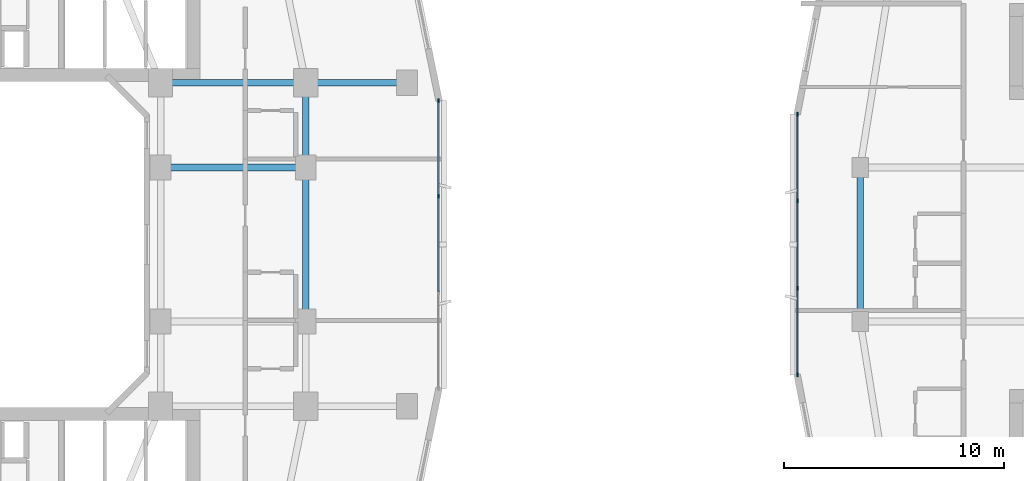
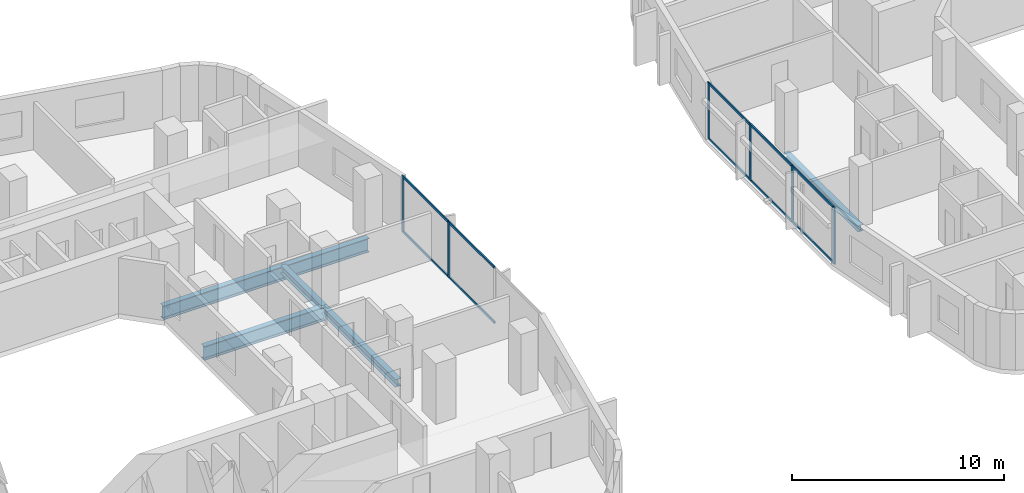
# One storey, part 4 of 22: 16 members, 6 beams, 2 elements without a shape of their own.
"""IFC4 building model written with IfcOpenShell, lengths in metres."""

from ifc_helpers import new_model, si_unit, derived_unit, direction, frame, origin, origin_2d, place, context, subcontext, project, spatial, rectangle, i_section, extrude, material, layer, layer_set, material_profile, profile_set, type_object, element, aggregate, save


model = new_model("IFC4")

# Units and contexts
model_context = context("Model", 3, precision=1e-05, world=origin(), true_north=direction((0.0, 1.0)))
body_context = subcontext(model_context, "Body", "Model", "MODEL_VIEW")
ifc_project = project(units=[si_unit("LENGTHUNIT", "METRE"), si_unit("AREAUNIT", "SQUARE_METRE"), si_unit("VOLUMEUNIT", "CUBIC_METRE"), si_unit("PLANEANGLEUNIT", "RADIAN"), si_unit("MASSUNIT", "GRAM", prefix="KILO"), derived_unit("THERMALTRANSMITTANCEUNIT", [(si_unit("POWERUNIT", "WATT"), 1), (si_unit("LENGTHUNIT", "METRE"), -2), (si_unit("THERMODYNAMICTEMPERATUREUNIT", "KELVIN"), -1)])], contexts=[model_context])

# Site, building, storey
site_placement = place(None, origin())
site = spatial("IfcSite", under=ifc_project, at=site_placement, CompositionType="ELEMENT")
building_placement = place(site_placement, origin())
building = spatial("IfcBuilding", under=site, at=building_placement, Name="Kivonza Crest Hotel", CompositionType="ELEMENT")
storey_placement = place(building_placement, frame((0.0, 0.0, 48.5)))
storey = spatial("IfcBuildingStorey", under=building, at=storey_placement, Name="L12", CompositionType="ELEMENT", Elevation=48.5)

# Beams
ifc_material_1 = material(Name="Steel S355", Category="steel")
ifc_material_profile_1 = material_profile(ifc_material_1, i_section(OverallWidth=0.300048828125, OverallDepth=0.360107421875, WebThickness=0.012451171875, FlangeThickness=0.0224609375, FilletRadius=0.027099609375, at=origin_2d()), Name="HEB 360")
ifc_profile_set_1 = profile_set([ifc_material_profile_1], Name="Steel S355")
beam_type_1 = type_object("IfcBeamType", Name="BM-HEB360", PredefinedType="SPANDREL", material=ifc_profile_set_1)
beam_1_placement = place(storey_placement, frame((61.0, 28.5, -0.429931640625), z_axis=(0.0, -1.0, 0.0), x_axis=(1.0, 0.0, 0.0)))
element("IfcBeam", 1, at=beam_1_placement, inside=storey, type_object=beam_type_1, Name="Companion Tower T2 L12 perimeter spandrel W2-W1", PredefinedType="SPANDREL", context=body_context, shape_type="SweptSolid", body=[
    extrude(i_section(OverallWidth=0.300048828125, OverallDepth=0.360107421875, WebThickness=0.012451171875, FlangeThickness=0.0224609375, FilletRadius=0.027099609375, at=origin_2d()), origin(), (0.0, 0.0, 1.0), 7.0),
])
ifc_material_profile_2 = material_profile(ifc_material_1, i_section(OverallWidth=0.300048828125, OverallDepth=0.449951171875, WebThickness=0.013916015625, FlangeThickness=0.02587890625, FilletRadius=0.027099609375, at=origin_2d()), Name="HEB 450")
ifc_profile_set_2 = profile_set([ifc_material_profile_2], Name="Steel S355")
beam_type_2 = type_object("IfcBeamType", Name="BM-HEB450", PredefinedType="SPANDREL", material=ifc_profile_set_2)
beam_2_placement = place(storey_placement, frame((35.800048828125, 21.5, -0.5048828125), z_axis=(0.0, 1.0, 0.0), x_axis=(-1.0, 0.0, 0.0)))
element("IfcBeam", 2, at=beam_2_placement, inside=storey, type_object=beam_type_2, Name="Tower T1 L12 perimeter spandrel E1-E2", PredefinedType="SPANDREL", context=body_context, shape_type="SweptSolid", body=[
    extrude(i_section(OverallWidth=0.300048828125, OverallDepth=0.449951171875, WebThickness=0.013916015625, FlangeThickness=0.02587890625, FilletRadius=0.027099609375, at=origin_2d()), origin(), (0.0, 0.0, 1.0), 7.0),
])
beam_3_placement = place(storey_placement, frame((35.800048828125, 28.5, -0.5048828125), z_axis=(0.0, 1.0, 0.0), x_axis=(-1.0, 0.0, 0.0)))
element("IfcBeam", 3, at=beam_3_placement, inside=storey, type_object=beam_type_2, Name="Tower T1 L12 perimeter spandrel E2-PNE", PredefinedType="SPANDREL", context=body_context, shape_type="SweptSolid", body=[
    extrude(i_section(OverallWidth=0.300048828125, OverallDepth=0.449951171875, WebThickness=0.013916015625, FlangeThickness=0.02587890625, FilletRadius=0.027099609375, at=origin_2d()), origin(), (0.0, 0.0, 1.0), 3.85009765625),
])
ifc_material_profile_3 = material_profile(ifc_material_1, i_section(OverallWidth=0.300048828125, OverallDepth=0.800048828125, WebThickness=0.017578125, FlangeThickness=0.032958984375, FilletRadius=0.030029296875, at=origin_2d()), Name="HEB 800")
ifc_profile_set_3 = profile_set([ifc_material_profile_3], Name="Steel S355")
beam_type_3 = type_object("IfcBeamType", Name="BM-HEB800", PredefinedType="BEAM", material=ifc_profile_set_3)
for number, where, z_axis, x_axis, name in (
    (4, (29.199951171875, 32.35009765625, -0.679931640625), (1.0, 0.0, 0.0), (0.0, 1.0, 0.0), "Tower T1 L12 primary girder TNE-PNE"),
    (5, (29.199951171875, 28.5, -0.679931640625), (1.0, 0.0, 0.0), (0.0, 1.0, 0.0), "Tower T1 L12 primary girder WR2-E2"),
):
    element("IfcBeam", number, at=place(storey_placement, frame(where, z_axis=z_axis, x_axis=x_axis)), inside=storey, type_object=beam_type_3, Name=name, PredefinedType="BEAM", context=body_context, shape_type="SweptSolid", body=[
        extrude(i_section(OverallWidth=0.300048828125, OverallDepth=0.800048828125, WebThickness=0.017578125, FlangeThickness=0.032958984375, FilletRadius=0.030029296875, at=origin_2d()), origin(), (0.0, 0.0, 1.0), 6.60009765625),
    ])
beam_4_placement = place(storey_placement, frame((40.39990234375, 32.35009765625, -0.679931640625), z_axis=(-1.0, 0.0, 0.0), x_axis=(0.0, -1.0, 0.0)))
element("IfcBeam", 6, at=beam_4_placement, inside=storey, type_object=beam_type_3, Name="Tower T1 L12 outer bay girder ZE2", PredefinedType="BEAM", context=body_context, shape_type="SweptSolid", body=[
    extrude(i_section(OverallWidth=0.300048828125, OverallDepth=0.800048828125, WebThickness=0.017578125, FlangeThickness=0.032958984375, FilletRadius=0.030029296875, at=origin_2d()), origin(), (0.0, 0.0, 1.0), 4.599853515625),
])

# Curtain wall, members
ifc_material_2 = material(Name="Anodised bronze aluminium and low-E double glazing", Category="aluminium")
ifc_layer_1 = layer(ifc_material_2, 0.179931640625)
ifc_layer_set_1 = layer_set([ifc_layer_1], Name="Anodised bronze aluminium and low-E double glazing")
curtain_wall_type_1 = type_object("IfcCurtainWallType", Name="CW-SYS-2", PredefinedType="NOTDEFINED", material=ifc_layer_set_1)
curtain_wall_1_placement = place(storey_placement, origin())
curtain_wall_1 = element("IfcCurtainWall", 7, at=curtain_wall_1_placement, inside=storey, type_object=curtain_wall_type_1, Name="L12 unitised curtain wall CW-T1-L12-17", PredefinedType="NOTDEFINED")
ifc_material_3 = material(Name="Anodised bronze aluminium", Category="aluminium")
ifc_material_profile_4 = material_profile(ifc_material_3, rectangle(XDim=0.06494140625, YDim=0.179931640625, at=origin_2d()), Name="CW-M 65x180")
ifc_profile_set_4 = profile_set([ifc_material_profile_4], Name="Anodised bronze aluminium")
member_type_1 = type_object("IfcMemberType", Name="CW-MUL-65x180", PredefinedType="MULLION", material=ifc_profile_set_4)
member_1_placement = place(storey_placement, frame((41.840087890625, 27.186767578125, 0.0), z_axis=(0.0, 0.0, 1.0), x_axis=(-1.0, 0.0, 0.0)))
member_1 = element("IfcMember", 8, at=member_1_placement, type_object=member_type_1, Name="CW-2 mullion 3", PredefinedType="MULLION", context=body_context, shape_type="SweptSolid", body=[
    extrude(rectangle(XDim=0.06494140625, YDim=0.179931640625, at=origin_2d()), origin(), (0.0, 0.0, 1.0), 3.219970703125),
])
member_2_placement = place(storey_placement, frame((41.840087890625, 31.527587890625, 0.0), z_axis=(0.0, 0.0, 1.0), x_axis=(-1.0, 0.0, 0.0)))
member_2 = element("IfcMember", 9, at=member_2_placement, type_object=member_type_1, Name="CW-2 mullion 4", PredefinedType="MULLION", context=body_context, shape_type="SweptSolid", body=[
    extrude(rectangle(XDim=0.06494140625, YDim=0.179931640625, at=origin_2d()), origin(), (0.0, 0.0, 1.0), 3.219970703125),
])

ifc_layer_2 = layer(ifc_material_2, 0.179931640625)
ifc_layer_set_2 = layer_set([ifc_layer_2], Name="Anodised bronze aluminium and low-E double glazing")
curtain_wall_type_2 = type_object("IfcCurtainWallType", Name="CW-SYS-4", PredefinedType="NOTDEFINED", material=ifc_layer_set_2)
curtain_wall_2_placement = place(storey_placement, origin())
curtain_wall_2 = element("IfcCurtainWall", 10, at=curtain_wall_2_placement, inside=storey, type_object=curtain_wall_type_2, Name="L12 unitised curtain wall CW-T2-L12-35", PredefinedType="NOTDEFINED")
member_3_placement = place(storey_placement, frame((58.159912109375, 30.927490234375, 0.0), z_axis=(0.0, 0.0, 1.0), x_axis=(1.0, 0.0, 0.0)))
member_3 = element("IfcMember", 11, at=member_3_placement, type_object=member_type_1, Name="CW-4 mullion 1", PredefinedType="MULLION", context=body_context, shape_type="SweptSolid", body=[
    extrude(rectangle(XDim=0.06494140625, YDim=0.179931640625, at=origin_2d()), origin(), (0.0, 0.0, 1.0), 3.25),
])
member_4_placement = place(storey_placement, frame((58.159912109375, 26.986572265625, 0.0), z_axis=(0.0, 0.0, 1.0), x_axis=(1.0, 0.0, 0.0)))
member_4 = element("IfcMember", 12, at=member_4_placement, type_object=member_type_1, Name="CW-4 mullion 2", PredefinedType="MULLION", context=body_context, shape_type="SweptSolid", body=[
    extrude(rectangle(XDim=0.06494140625, YDim=0.179931640625, at=origin_2d()), origin(), (0.0, 0.0, 1.0), 3.25),
])
member_5_placement = place(storey_placement, frame((58.159912109375, 23.013427734375, 0.0), z_axis=(0.0, 0.0, 1.0), x_axis=(1.0, 0.0, 0.0)))
member_5 = element("IfcMember", 13, at=member_5_placement, type_object=member_type_1, Name="CW-4 mullion 3", PredefinedType="MULLION", context=body_context, shape_type="SweptSolid", body=[
    extrude(rectangle(XDim=0.06494140625, YDim=0.179931640625, at=origin_2d()), origin(), (0.0, 0.0, 1.0), 3.25),
])
member_6_placement = place(storey_placement, frame((58.159912109375, 19.072509765625, 0.0), z_axis=(0.0, 0.0, 1.0), x_axis=(1.0, 0.0, 0.0)))
member_6 = element("IfcMember", 14, at=member_6_placement, type_object=member_type_1, Name="CW-4 mullion 4", PredefinedType="MULLION", context=body_context, shape_type="SweptSolid", body=[
    extrude(rectangle(XDim=0.06494140625, YDim=0.179931640625, at=origin_2d()), origin(), (0.0, 0.0, 1.0), 3.25),
])

# Member
ifc_material_profile_5 = material_profile(ifc_material_3, rectangle(XDim=0.06494140625, YDim=0.139892578125, at=origin_2d()), Name="CW-T 65x140")
ifc_profile_set_5 = profile_set([ifc_material_profile_5], Name="Anodised bronze aluminium")
member_type_2 = type_object("IfcMemberType", Name="CW-TRN-65x140", PredefinedType="USERDEFINED", material=ifc_profile_set_5)
member_7_placement = place(storey_placement, frame((41.840087890625, 22.845947265625, 0.032470703125), z_axis=(0.0, 1.0, 0.0), x_axis=(-1.0, 0.0, 0.0)))
member_7 = element("IfcMember", 15, at=member_7_placement, type_object=member_type_2, Name="CW-2 transom 2.1", ObjectType="TRANSOM", PredefinedType="USERDEFINED", context=body_context, shape_type="SweptSolid", body=[
    extrude(rectangle(XDim=0.06494140625, YDim=0.139892578125, at=origin_2d()), origin(), (0.0, 0.0, 1.0), 4.30810546875),
])

member_8_placement = place(storey_placement, frame((41.840087890625, 22.845947265625, 3.1875), z_axis=(0.0, 1.0, 0.0), x_axis=(-1.0, 0.0, 0.0)))
member_8 = element("IfcMember", 16, at=member_8_placement, type_object=member_type_2, Name="CW-2 transom 2.2", ObjectType="TRANSOM", PredefinedType="USERDEFINED", context=body_context, shape_type="SweptSolid", body=[
    extrude(rectangle(XDim=0.06494140625, YDim=0.139892578125, at=origin_2d()), origin(), (0.0, 0.0, 1.0), 4.30810546875),
])

member_9_placement = place(storey_placement, frame((41.840087890625, 27.21923828125, 0.032470703125), z_axis=(0.0, 1.0, 0.0), x_axis=(-1.0, 0.0, 0.0)))
member_9 = element("IfcMember", 17, at=member_9_placement, type_object=member_type_2, Name="CW-2 transom 3.1", ObjectType="TRANSOM", PredefinedType="USERDEFINED", context=body_context, shape_type="SweptSolid", body=[
    extrude(rectangle(XDim=0.06494140625, YDim=0.139892578125, at=origin_2d()), origin(), (0.0, 0.0, 1.0), 4.27587890625),
])

member_10_placement = place(storey_placement, frame((41.840087890625, 27.21923828125, 3.1875), z_axis=(0.0, 1.0, 0.0), x_axis=(-1.0, 0.0, 0.0)))
member_10 = element("IfcMember", 18, at=member_10_placement, type_object=member_type_2, Name="CW-2 transom 3.2", ObjectType="TRANSOM", PredefinedType="USERDEFINED", context=body_context, shape_type="SweptSolid", body=[
    extrude(rectangle(XDim=0.06494140625, YDim=0.139892578125, at=origin_2d()), origin(), (0.0, 0.0, 1.0), 4.27587890625),
])

aggregate(curtain_wall_1, [member_1, member_2, member_7, member_8, member_9, member_10])

member_11_placement = place(storey_placement, frame((58.159912109375, 30.89501953125, 0.032470703125), z_axis=(0.0, -1.0, 0.0), x_axis=(1.0, 0.0, 0.0)))
member_11 = element("IfcMember", 19, at=member_11_placement, type_object=member_type_2, Name="CW-4 transom 1.1", ObjectType="TRANSOM", PredefinedType="USERDEFINED", context=body_context, shape_type="SweptSolid", body=[
    extrude(rectangle(XDim=0.06494140625, YDim=0.139892578125, at=origin_2d()), origin(), (0.0, 0.0, 1.0), 3.875732421875),
])

member_12_placement = place(storey_placement, frame((58.159912109375, 30.89501953125, 3.217529296875), z_axis=(0.0, -1.0, 0.0), x_axis=(1.0, 0.0, 0.0)))
member_12 = element("IfcMember", 20, at=member_12_placement, type_object=member_type_2, Name="CW-4 transom 1.2", ObjectType="TRANSOM", PredefinedType="USERDEFINED", context=body_context, shape_type="SweptSolid", body=[
    extrude(rectangle(XDim=0.06494140625, YDim=0.139892578125, at=origin_2d()), origin(), (0.0, 0.0, 1.0), 3.875732421875),
])

member_13_placement = place(storey_placement, frame((58.159912109375, 26.9541015625, 0.032470703125), z_axis=(0.0, -1.0, 0.0), x_axis=(1.0, 0.0, 0.0)))
member_13 = element("IfcMember", 21, at=member_13_placement, type_object=member_type_2, Name="CW-4 transom 2.1", ObjectType="TRANSOM", PredefinedType="USERDEFINED", context=body_context, shape_type="SweptSolid", body=[
    extrude(rectangle(XDim=0.06494140625, YDim=0.139892578125, at=origin_2d()), origin(), (0.0, 0.0, 1.0), 3.908203125),
])

member_14_placement = place(storey_placement, frame((58.159912109375, 26.9541015625, 3.217529296875), z_axis=(0.0, -1.0, 0.0), x_axis=(1.0, 0.0, 0.0)))
member_14 = element("IfcMember", 22, at=member_14_placement, type_object=member_type_2, Name="CW-4 transom 2.2", ObjectType="TRANSOM", PredefinedType="USERDEFINED", context=body_context, shape_type="SweptSolid", body=[
    extrude(rectangle(XDim=0.06494140625, YDim=0.139892578125, at=origin_2d()), origin(), (0.0, 0.0, 1.0), 3.908203125),
])

member_15_placement = place(storey_placement, frame((58.159912109375, 22.980712890625, 0.032470703125), z_axis=(0.0, -1.0, 0.0), x_axis=(1.0, 0.0, 0.0)))
member_15 = element("IfcMember", 23, at=member_15_placement, type_object=member_type_2, Name="CW-4 transom 3.1", ObjectType="TRANSOM", PredefinedType="USERDEFINED", context=body_context, shape_type="SweptSolid", body=[
    extrude(rectangle(XDim=0.06494140625, YDim=0.139892578125, at=origin_2d()), origin(), (0.0, 0.0, 1.0), 3.875732421875),
])

member_16_placement = place(storey_placement, frame((58.159912109375, 22.980712890625, 3.217529296875), z_axis=(0.0, -1.0, 0.0), x_axis=(1.0, 0.0, 0.0)))
member_16 = element("IfcMember", 24, at=member_16_placement, type_object=member_type_2, Name="CW-4 transom 3.2", ObjectType="TRANSOM", PredefinedType="USERDEFINED", context=body_context, shape_type="SweptSolid", body=[
    extrude(rectangle(XDim=0.06494140625, YDim=0.139892578125, at=origin_2d()), origin(), (0.0, 0.0, 1.0), 3.875732421875),
])

aggregate(curtain_wall_2, [member_3, member_4, member_5, member_6, member_11, member_12, member_13, member_14, member_15, member_16])

save(model, "model.ifc")
